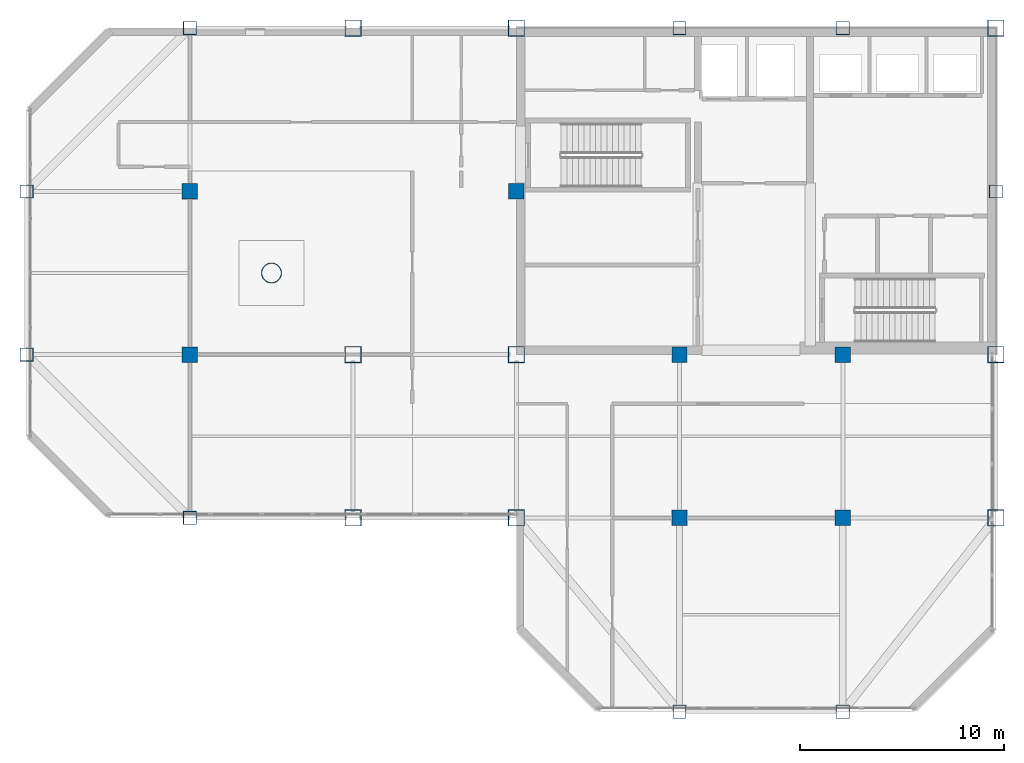
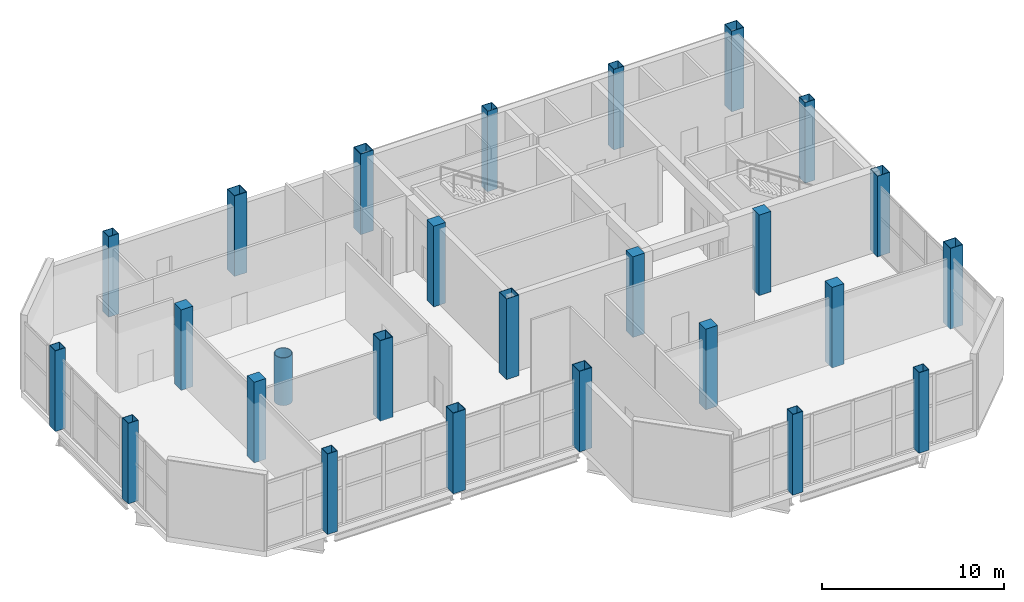
# One storey, part 1 of 17: 26 columns.
"""IFC4 building model written with IfcOpenShell, lengths in metres."""

from ifc_helpers import new_model, si_unit, direction, frame, origin, origin_2d, place, context, subcontext, project, spatial, rectangle, hollow_rectangle, hollow_circle, extrude, material, material_profile, profile_set, type_object, element, save


model = new_model("IFC4")

# Units and contexts
model_context = context("Model", 3, precision=1e-05, world=origin(), true_north=direction((0.0, 1.0)))
body_context = subcontext(model_context, "Body", "Model", "MODEL_VIEW")
ifc_project = project(units=[si_unit("LENGTHUNIT", "METRE"), si_unit("AREAUNIT", "SQUARE_METRE"), si_unit("VOLUMEUNIT", "CUBIC_METRE"), si_unit("PLANEANGLEUNIT", "RADIAN"), si_unit("MASSUNIT", "GRAM", prefix="KILO")], contexts=[model_context])

# Site, building, storey
site_placement = place(None, origin())
site = spatial("IfcSite", under=ifc_project, at=site_placement, CompositionType="ELEMENT")
building_placement = place(site_placement, origin())
building = spatial("IfcBuilding", under=site, at=building_placement, Name="Qianrong Seaharbour Tower", CompositionType="ELEMENT")
storey_placement = place(building_placement, frame((0.0, 0.0, 373.0)))
storey = spatial("IfcBuildingStorey", under=building, at=storey_placement, Name="L90", CompositionType="ELEMENT", Elevation=373.0)

# Columns
ifc_material_1 = material(Name="Structural steel SN490B", Category="steel")
ifc_material_profile_1 = material_profile(ifc_material_1, hollow_rectangle(XDim=0.800048828125, YDim=0.800048828125, WallThickness=0.031982421875, at=origin_2d()), Name="BOX800x800x32")
ifc_profile_set_1 = profile_set([ifc_material_profile_1], Name="Structural steel SN490B")
column_type_1 = type_object("IfcColumnType", Name="COL-CFT-800", PredefinedType="COLUMN", material=ifc_profile_set_1)
for number, where, z_axis, x_axis, name in (
    (1, (32.5, 28.0, 0.0), (0.0, 0.0, 1.0), (1.0, 0.0, 0.0), "L90 Column MC-5 at G5/GE"),
    (2, (32.5, 36.0, 0.0), (0.0, 0.0, 1.0), (1.0, 0.0, 0.0), "L90 Column MC-5 at G5/GF"),
    (3, (32.5, 52.0, 0.0), (0.0, 0.0, 1.0), (1.0, 0.0, 0.0), "L90 Column MC-5 at G5/GH"),
    (4, (40.5, 28.0, 0.0), (0.0, 0.0, 1.0), (1.0, 0.0, 0.0), "L90 Column MC-5 at G6/GE"),
    (5, (40.5, 36.0, 0.0), (0.0, 0.0, 1.0), (1.0, 0.0, 0.0), "L90 Column MC-5 at G6/GF"),
    (6, (40.5, 52.0, 0.0), (0.0, 0.0, 1.0), (1.0, 0.0, 0.0), "L90 Column MC-5 at G6/GH"),
    (7, (64.0, 28.0, 0.0), (0.0, 0.0, 1.0), (1.0, 0.0, 0.0), "L90 Column MC-5 at G9/GE"),
    (8, (64.0, 36.0, 0.0), (0.0, 0.0, 1.0), (1.0, 0.0, 0.0), "L90 Column MC-5 at G9/GF"),
    (9, (64.0, 52.0, 0.0), (0.0, 0.0, 1.0), (1.0, 0.0, 0.0), "L90 Column MC-5 at G9/GH"),
):
    element("IfcColumn", number, at=place(storey_placement, frame(where, z_axis=z_axis, x_axis=x_axis)), inside=storey, type_object=column_type_1, Name=name, PredefinedType="COLUMN", context=body_context, shape_type="SweptSolid", body=[
        extrude(hollow_rectangle(XDim=0.800048828125, YDim=0.800048828125, WallThickness=0.031982421875, at=origin_2d()), origin(), (0.0, 0.0, 1.0), 5.39990234375),
    ])
ifc_material_profile_2 = material_profile(ifc_material_1, hollow_circle(Radius=0.5, WallThickness=0.035888671875, at=origin_2d()), Name="CHS1000x36")
ifc_profile_set_2 = profile_set([ifc_material_profile_2], Name="Structural steel SN490B")
column_type_2 = type_object("IfcColumnType", Name="COL-CHS-1000", PredefinedType="COLUMN", material=ifc_profile_set_2)
column_placement = place(storey_placement, frame((28.5, 40.0, 0.0), z_axis=(0.0, 0.0, 1.0), x_axis=(1.0, 0.0, 0.0)))
element("IfcColumn", 10, at=column_placement, inside=storey, type_object=column_type_2, Name="Tuned Mass Damper Hydraulic Snubber Pedestal TMD-P1", PredefinedType="COLUMN", context=body_context, shape_type="SweptSolid", body=[
    extrude(hollow_circle(Radius=0.5, WallThickness=0.035888671875, at=origin_2d()), origin(), (0.0, 0.0, 1.0), 3.199951171875),
])
ifc_material_2 = material(Name="Concrete C50/60", Category="concrete")
ifc_material_profile_3 = material_profile(ifc_material_2, rectangle(XDim=0.75, YDim=0.75, at=origin_2d()), Name="RC750x750")
ifc_profile_set_3 = profile_set([ifc_material_profile_3], Name="Concrete C50/60")
column_type_3 = type_object("IfcColumnType", Name="COL-INT-RC750", PredefinedType="COLUMN", material=ifc_profile_set_3)
for number, where, z_axis, x_axis, name in (
    (11, (24.5, 36.0, 0.0), (0.0, 0.0, 1.0), (1.0, 0.0, 0.0), "L90 Column IC-4 at G4/GF"),
    (12, (24.5, 44.0, 0.0), (0.0, 0.0, 1.0), (1.0, 0.0, 0.0), "L90 Column IC-4 at G4/GG"),
    (13, (40.5, 44.0, 0.0), (0.0, 0.0, 1.0), (1.0, 0.0, 0.0), "L90 Column IC-4 at G6/GG"),
    (14, (48.5, 28.0, 0.0), (0.0, 0.0, 1.0), (1.0, 0.0, 0.0), "L90 Column IC-4 at G7/GE"),
    (15, (48.5, 36.0, 0.0), (0.0, 0.0, 1.0), (1.0, 0.0, 0.0), "L90 Column IC-4 at G7/GF"),
    (16, (56.5, 28.0, 0.0), (0.0, 0.0, 1.0), (1.0, 0.0, 0.0), "L90 Column IC-4 at G8/GE"),
    (17, (56.5, 36.0, 0.0), (0.0, 0.0, 1.0), (1.0, 0.0, 0.0), "L90 Column IC-4 at G8/GF"),
):
    element("IfcColumn", number, at=place(storey_placement, frame(where, z_axis=z_axis, x_axis=x_axis)), inside=storey, type_object=column_type_3, Name=name, PredefinedType="COLUMN", context=body_context, shape_type="SweptSolid", body=[
        extrude(rectangle(XDim=0.75, YDim=0.75, at=origin_2d()), origin(), (0.0, 0.0, 1.0), 5.39990234375),
    ])
ifc_material_3 = material(Name="Structural steel SN400B", Category="steel")
ifc_material_profile_4 = material_profile(ifc_material_3, hollow_rectangle(XDim=0.64990234375, YDim=0.64990234375, WallThickness=0.028076171875, at=origin_2d()), Name="BOX650x650x28")
ifc_profile_set_4 = profile_set([ifc_material_profile_4], Name="Structural steel SN400B")
column_type_4 = type_object("IfcColumnType", Name="COL-PER-650", PredefinedType="COLUMN", material=ifc_profile_set_4)
for number, where, z_axis, x_axis, name in (
    (18, (16.5, 36.0, 0.0), (0.0, 0.0, 1.0), (1.0, 0.0, 0.0), "L90 Column PC-4 at G3/GF"),
    (19, (16.5, 44.0, 0.0), (0.0, 0.0, 1.0), (1.0, 0.0, 0.0), "L90 Column PC-4 at G3/GG"),
    (20, (24.5, 28.0, 0.0), (0.0, 0.0, 1.0), (1.0, 0.0, 0.0), "L90 Column PC-4 at G4/GE"),
    (21, (24.5, 52.0, 0.0), (0.0, 0.0, 1.0), (1.0, 0.0, 0.0), "L90 Column PC-4 at G4/GH"),
    (22, (48.5, 18.5, 0.0), (0.0, 0.0, 1.0), (1.0, 0.0, 0.0), "L90 Column PC-4 at G7/GD"),
    (23, (48.5, 52.0, 0.0), (0.0, 0.0, 1.0), (1.0, 0.0, 0.0), "L90 Column PC-4 at G7/GH"),
    (24, (56.5, 18.5, 0.0), (0.0, 0.0, 1.0), (1.0, 0.0, 0.0), "L90 Column PC-4 at G8/GD"),
    (25, (56.5, 52.0, 0.0), (0.0, 0.0, 1.0), (1.0, 0.0, 0.0), "L90 Column PC-4 at G8/GH"),
    (26, (64.0, 44.0, 0.0), (0.0, 0.0, 1.0), (1.0, 0.0, 0.0), "L90 Column PC-4 at G9/GG"),
):
    element("IfcColumn", number, at=place(storey_placement, frame(where, z_axis=z_axis, x_axis=x_axis)), inside=storey, type_object=column_type_4, Name=name, PredefinedType="COLUMN", context=body_context, shape_type="SweptSolid", body=[
        extrude(hollow_rectangle(XDim=0.64990234375, YDim=0.64990234375, WallThickness=0.028076171875, at=origin_2d()), origin(), (0.0, 0.0, 1.0), 5.39990234375),
    ])

save(model, "model.ifc")
